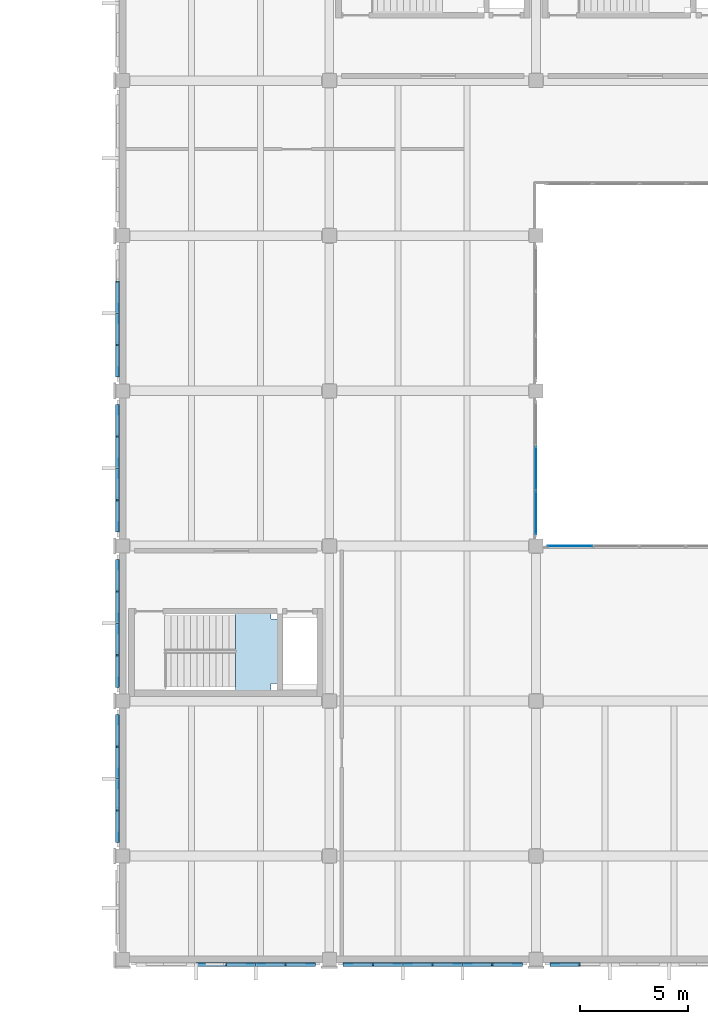
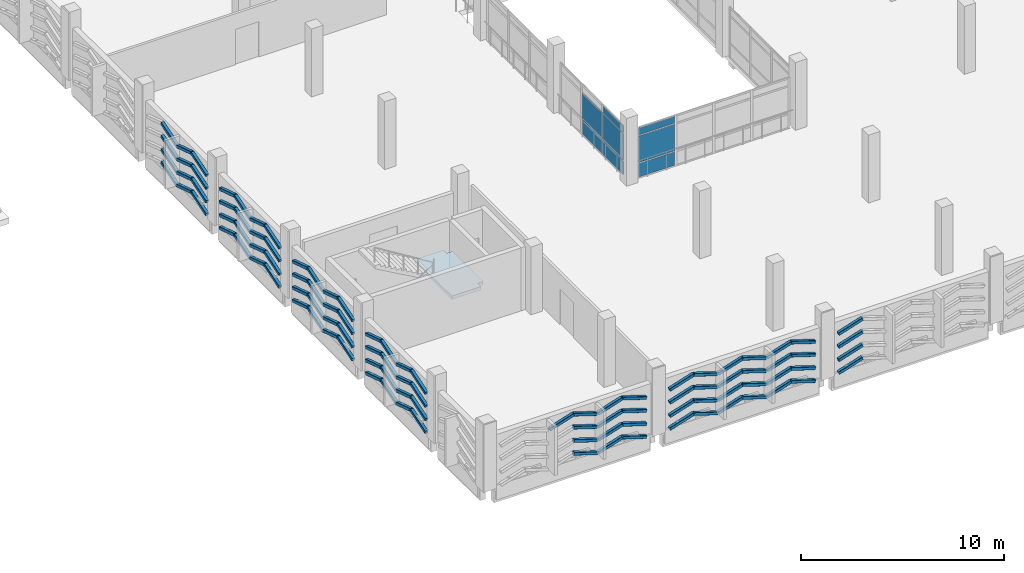
# One storey, part 93 of 134: 109 plates, 1 slab, 3 elements without a shape of their own.
"""IFC4 building model written with IfcOpenShell, lengths in metres."""

from ifc_helpers import new_model, si_unit, direction, frame, origin, origin_2d, place, context, subcontext, project, spatial, polyline, rectangle, hollow_rectangle, outline, extrude, material, layer, layer_set, material_profile, profile_set, type_object, element, aggregate, save


model = new_model("IFC4")

# Units and contexts
model_context = context("Model", 3, precision=1e-05, world=origin(), true_north=direction((0.0, 1.0)))
body_context = subcontext(model_context, "Body", "Model", "MODEL_VIEW")
ifc_project = project(units=[si_unit("LENGTHUNIT", "METRE"), si_unit("AREAUNIT", "SQUARE_METRE"), si_unit("VOLUMEUNIT", "CUBIC_METRE"), si_unit("PLANEANGLEUNIT", "RADIAN"), si_unit("MASSUNIT", "GRAM", prefix="KILO")], contexts=[model_context])

# Site, building, storey
site_placement = place(None, origin())
site = spatial("IfcSite", under=ifc_project, at=site_placement, CompositionType="ELEMENT")
building_placement = place(site_placement, origin())
building = spatial("IfcBuilding", under=site, at=building_placement, Name="Asteropetra Specialist Clinic", CompositionType="ELEMENT")
storey_placement = place(building_placement, frame((0.0, 0.0, 8.5)))
storey = spatial("IfcBuildingStorey", under=building, at=storey_placement, Name="L02", CompositionType="ELEMENT", Elevation=8.5)

# Plates
ifc_material_1 = material(Name="Chevron emerald aluminium 6063-T6", Category="aluminium")
ifc_material_profile = material_profile(ifc_material_1, hollow_rectangle(XDim=0.179931640625, YDim=0.179931640625, WallThickness=0.010009765625, InnerFilletRadius=0.008056640625, OuterFilletRadius=0.01611328125, at=origin_2d()), Name="SHS 180x180x10.0")
ifc_profile_set = profile_set([ifc_material_profile], Name="Chevron emerald aluminium 6063-T6")
plate_type_1 = type_object("IfcPlateType", Name="CHV-RIB-180", PredefinedType="SHEET", material=ifc_profile_set)
for number, where, z_axis, x_axis, name in (
    (1, (110.39990234375, -0.239501953125, 0.48681640625), (0.952430080856, 0.0, -0.304757183805), (0.0, 1.0, 0.0), "Chevron Facade Screen Fin CVR-2473"),
    (2, (110.39990234375, -0.239501953125, 1.256591796875), (0.952479516829, 0.0, -0.304602642835), (0.0, 1.0, 0.0), "Chevron Facade Screen Fin CVR-2475"),
    (3, (110.39990234375, -0.239501953125, 2.056640625), (0.952479516829, 0.0, -0.304602642835), (0.0, 1.0, 0.0), "Chevron Facade Screen Fin CVR-2477"),
    (4, (109.034912109375, -0.239501953125, 2.39990234375), (0.952430080856, 0.0, 0.304757183805), (0.0, 1.0, 0.0), "Chevron Facade Screen Fin CVR-2478"),
    (5, (110.39990234375, -0.239501953125, 2.836669921875), (0.952430080856, 0.0, -0.304757183805), (0.0, 1.0, 0.0), "Chevron Facade Screen Fin CVR-2479"),
    (6, (111.804931640625, -0.239501953125, 0.050048828125), (0.952430080856, 0.0, 0.304757183805), (0.0, 1.0, 0.0), "Chevron Facade Screen Fin CVR-2480"),
    (7, (113.169921875, -0.239501953125, 0.48681640625), (0.952430080856, 0.0, -0.304757183805), (0.0, 1.0, 0.0), "Chevron Facade Screen Fin CVR-2481"),
    (8, (111.804931640625, -0.239501953125, 0.820068359375), (0.952479516829, 0.0, 0.304602642835), (0.0, 1.0, 0.0), "Chevron Facade Screen Fin CVR-2482"),
    (9, (113.169921875, -0.239501953125, 1.256591796875), (0.952479516829, 0.0, -0.304602642835), (0.0, 1.0, 0.0), "Chevron Facade Screen Fin CVR-2483"),
    (10, (111.804931640625, -0.239501953125, 1.6201171875), (0.952479516829, 0.0, 0.304602642835), (0.0, 1.0, 0.0), "Chevron Facade Screen Fin CVR-2484"),
    (11, (113.169921875, -0.239501953125, 2.056640625), (0.952479516829, 0.0, -0.304602642835), (0.0, 1.0, 0.0), "Chevron Facade Screen Fin CVR-2485"),
    (12, (111.804931640625, -0.239501953125, 2.39990234375), (0.952430080856, 0.0, 0.304757183805), (0.0, 1.0, 0.0), "Chevron Facade Screen Fin CVR-2486"),
    (13, (113.169921875, -0.239501953125, 2.836669921875), (0.952430080856, 0.0, -0.304757183805), (0.0, 1.0, 0.0), "Chevron Facade Screen Fin CVR-2487"),
    (14, (115.864990234375, -0.239501953125, 0.050048828125), (0.952430080856, 0.0, 0.304757183805), (0.0, 1.0, 0.0), "Chevron Facade Screen Fin CVR-2512"),
    (15, (117.22998046875, -0.239501953125, 0.48681640625), (0.952430080856, 0.0, -0.304757183805), (0.0, 1.0, 0.0), "Chevron Facade Screen Fin CVR-2513"),
    (16, (115.864990234375, -0.239501953125, 0.820068359375), (0.952479516829, 0.0, 0.304602642835), (0.0, 1.0, 0.0), "Chevron Facade Screen Fin CVR-2514"),
    (17, (117.22998046875, -0.239501953125, 1.256591796875), (0.952479516829, 0.0, -0.304602642835), (0.0, 1.0, 0.0), "Chevron Facade Screen Fin CVR-2515"),
    (18, (115.864990234375, -0.239501953125, 1.6201171875), (0.952479516829, 0.0, 0.304602642835), (0.0, 1.0, 0.0), "Chevron Facade Screen Fin CVR-2516"),
    (19, (117.22998046875, -0.239501953125, 2.056640625), (0.952479516829, 0.0, -0.304602642835), (0.0, 1.0, 0.0), "Chevron Facade Screen Fin CVR-2517"),
    (20, (115.864990234375, -0.239501953125, 2.39990234375), (0.952430080856, 0.0, 0.304757183805), (0.0, 1.0, 0.0), "Chevron Facade Screen Fin CVR-2518"),
    (21, (117.22998046875, -0.239501953125, 2.836669921875), (0.952430080856, 0.0, -0.304757183805), (0.0, 1.0, 0.0), "Chevron Facade Screen Fin CVR-2519"),
    (22, (118.635009765625, -0.239501953125, 0.050048828125), (0.952430080856, 0.0, 0.304757183805), (0.0, 1.0, 0.0), "Chevron Facade Screen Fin CVR-2520"),
    (23, (120.0, -0.239501953125, 0.48681640625), (0.952430080856, 0.0, -0.304757183805), (0.0, 1.0, 0.0), "Chevron Facade Screen Fin CVR-2521"),
    (24, (118.635009765625, -0.239501953125, 0.820068359375), (0.952479516829, 0.0, 0.304602642835), (0.0, 1.0, 0.0), "Chevron Facade Screen Fin CVR-2522"),
    (25, (120.0, -0.239501953125, 1.256591796875), (0.952479516829, 0.0, -0.304602642835), (0.0, 1.0, 0.0), "Chevron Facade Screen Fin CVR-2523"),
    (26, (118.635009765625, -0.239501953125, 1.6201171875), (0.952479516829, 0.0, 0.304602642835), (0.0, 1.0, 0.0), "Chevron Facade Screen Fin CVR-2524"),
    (27, (120.0, -0.239501953125, 2.056640625), (0.952479516829, 0.0, -0.304602642835), (0.0, 1.0, 0.0), "Chevron Facade Screen Fin CVR-2525"),
    (28, (118.635009765625, -0.239501953125, 2.39990234375), (0.952430080856, 0.0, 0.304757183805), (0.0, 1.0, 0.0), "Chevron Facade Screen Fin CVR-2526"),
    (29, (120.0, -0.239501953125, 2.836669921875), (0.952430080856, 0.0, -0.304757183805), (0.0, 1.0, 0.0), "Chevron Facade Screen Fin CVR-2527"),
    (30, (121.405029296875, -0.239501953125, 0.050048828125), (0.952430080856, 0.0, 0.304757183805), (0.0, 1.0, 0.0), "Chevron Facade Screen Fin CVR-2528"),
    (31, (122.77001953125, -0.239501953125, 0.48681640625), (0.952430080856, 0.0, -0.304757183805), (0.0, 1.0, 0.0), "Chevron Facade Screen Fin CVR-2529"),
    (32, (121.405029296875, -0.239501953125, 0.820068359375), (0.952479516829, 0.0, 0.304602642835), (0.0, 1.0, 0.0), "Chevron Facade Screen Fin CVR-2530"),
    (33, (122.77001953125, -0.239501953125, 1.256591796875), (0.952479516829, 0.0, -0.304602642835), (0.0, 1.0, 0.0), "Chevron Facade Screen Fin CVR-2531"),
    (34, (121.405029296875, -0.239501953125, 1.6201171875), (0.952479516829, 0.0, 0.304602642835), (0.0, 1.0, 0.0), "Chevron Facade Screen Fin CVR-2532"),
    (35, (122.77001953125, -0.239501953125, 2.056640625), (0.952479516829, 0.0, -0.304602642835), (0.0, 1.0, 0.0), "Chevron Facade Screen Fin CVR-2533"),
    (36, (121.405029296875, -0.239501953125, 2.39990234375), (0.952430080856, 0.0, 0.304757183805), (0.0, 1.0, 0.0), "Chevron Facade Screen Fin CVR-2534"),
    (37, (122.77001953125, -0.239501953125, 2.836669921875), (0.952430080856, 0.0, -0.304757183805), (0.0, 1.0, 0.0), "Chevron Facade Screen Fin CVR-2535"),
    (38, (125.465087890625, -0.239501953125, 0.050048828125), (0.952430080856, 0.0, 0.304757183805), (0.0, 1.0, 0.0), "Chevron Facade Screen Fin CVR-2560"),
    (39, (125.465087890625, -0.239501953125, 0.820068359375), (0.952479516829, 0.0, 0.304602642835), (0.0, 1.0, 0.0), "Chevron Facade Screen Fin CVR-2562"),
    (40, (125.465087890625, -0.239501953125, 1.6201171875), (0.952479516829, 0.0, 0.304602642835), (0.0, 1.0, 0.0), "Chevron Facade Screen Fin CVR-2564"),
    (41, (125.465087890625, -0.239501953125, 2.39990234375), (0.952430080856, 0.0, 0.304757183805), (0.0, 1.0, 0.0), "Chevron Facade Screen Fin CVR-2566"),
):
    element("IfcPlate", number, at=place(storey_placement, frame(where, z_axis=z_axis, x_axis=x_axis)), inside=storey, type_object=plate_type_1, Name=name, PredefinedType="SHEET", context=body_context, shape_type="SweptSolid", body=[
        extrude(hollow_rectangle(XDim=0.179931640625, YDim=0.179931640625, WallThickness=0.010009765625, InnerFilletRadius=0.008056640625, OuterFilletRadius=0.01611328125, at=origin_2d()), origin(), (0.0, 0.0, 1.0), 1.43310546875),
    ])
for number, where, z_axis, x_axis, name in (
    (42, (105.360595703125, 11.3349609375, 0.050048828125), (0.0, -0.952535238788, 0.304428347673), (1.0, 0.0, 0.0), "Chevron Facade Screen Fin CVR-2702"),
    (43, (105.360595703125, 9.87744140625, 0.515869140625), (0.0, -0.952535238788, -0.304428347673), (1.0, 0.0, 0.0), "Chevron Facade Screen Fin CVR-2703"),
    (44, (105.360595703125, 11.3349609375, 0.820068359375), (0.0, -0.952535238788, 0.304428347673), (1.0, 0.0, 0.0), "Chevron Facade Screen Fin CVR-2704"),
    (45, (105.360595703125, 9.87744140625, 1.285888671875), (0.0, -0.952535238788, -0.304428347673), (1.0, 0.0, 0.0), "Chevron Facade Screen Fin CVR-2705"),
    (46, (105.360595703125, 11.3349609375, 1.6201171875), (0.0, -0.952535238788, 0.304428347673), (1.0, 0.0, 0.0), "Chevron Facade Screen Fin CVR-2706"),
    (47, (105.360595703125, 9.87744140625, 2.0859375), (0.0, -0.952535238788, -0.304428347673), (1.0, 0.0, 0.0), "Chevron Facade Screen Fin CVR-2707"),
):
    element("IfcPlate", number, at=place(storey_placement, frame(where, z_axis=z_axis, x_axis=x_axis)), inside=storey, type_object=plate_type_1, Name=name, PredefinedType="SHEET", context=body_context, shape_type="SweptSolid", body=[
        extrude(hollow_rectangle(XDim=0.179931640625, YDim=0.179931640625, WallThickness=0.010009765625, InnerFilletRadius=0.008056640625, OuterFilletRadius=0.01611328125, at=origin_2d()), origin(), (0.0, 0.0, 1.0), 1.530029296875),
    ])
for number, where, z_axis, x_axis, name in (
    (48, (105.360595703125, 11.3349609375, 2.39990234375), (0.0, -0.952488962874, 0.304573103874), (1.0, 0.0, 0.0), "Chevron Facade Screen Fin CVR-2708"),
    (49, (105.360595703125, 9.87744140625, 2.865966796875), (0.0, -0.952488962874, -0.304573103874), (1.0, 0.0, 0.0), "Chevron Facade Screen Fin CVR-2709"),
):
    element("IfcPlate", number, at=place(storey_placement, frame(where, z_axis=z_axis, x_axis=x_axis)), inside=storey, type_object=plate_type_1, Name=name, PredefinedType="SHEET", context=body_context, shape_type="SweptSolid", body=[
        extrude(hollow_rectangle(XDim=0.179931640625, YDim=0.179931640625, WallThickness=0.010009765625, InnerFilletRadius=0.008056640625, OuterFilletRadius=0.01611328125, at=origin_2d()), origin(), (0.0, 0.0, 1.0), 1.5302734375),
    ])
for number, where, z_axis, x_axis, name in (
    (50, (105.360595703125, 8.3798828125, 0.050048828125), (0.0, -0.952520448524, 0.304474621509), (1.0, 0.0, 0.0), "Chevron Facade Screen Fin CVR-2710"),
    (51, (105.360595703125, 6.922607421875, 0.515869140625), (0.0, -0.952535238788, -0.304428347673), (1.0, 0.0, 0.0), "Chevron Facade Screen Fin CVR-2711"),
    (52, (105.360595703125, 8.3798828125, 0.820068359375), (0.0, -0.952520448524, 0.304474621509), (1.0, 0.0, 0.0), "Chevron Facade Screen Fin CVR-2712"),
    (53, (105.360595703125, 6.922607421875, 1.285888671875), (0.0, -0.952535238788, -0.304428347673), (1.0, 0.0, 0.0), "Chevron Facade Screen Fin CVR-2713"),
    (54, (105.360595703125, 8.3798828125, 1.6201171875), (0.0, -0.952520448524, 0.304474621509), (1.0, 0.0, 0.0), "Chevron Facade Screen Fin CVR-2714"),
    (55, (105.360595703125, 6.922607421875, 2.0859375), (0.0, -0.952535238788, -0.304428347673), (1.0, 0.0, 0.0), "Chevron Facade Screen Fin CVR-2715"),
    (56, (105.360595703125, 8.3798828125, 2.39990234375), (0.0, -0.952474159261, 0.304619395213), (1.0, 0.0, 0.0), "Chevron Facade Screen Fin CVR-2716"),
):
    element("IfcPlate", number, at=place(storey_placement, frame(where, z_axis=z_axis, x_axis=x_axis)), inside=storey, type_object=plate_type_1, Name=name, PredefinedType="SHEET", context=body_context, shape_type="SweptSolid", body=[
        extrude(hollow_rectangle(XDim=0.179931640625, YDim=0.179931640625, WallThickness=0.010009765625, InnerFilletRadius=0.008056640625, OuterFilletRadius=0.01611328125, at=origin_2d()), origin(), (0.0, 0.0, 1.0), 1.530029296875),
    ])
plate_1_placement = place(storey_placement, frame((105.360595703125, 6.922607421875, 2.865966796875), z_axis=(0.0, -0.952488962874, -0.304573103874), x_axis=(1.0, 0.0, 0.0)))
element("IfcPlate", 57, at=plate_1_placement, inside=storey, type_object=plate_type_1, Name="Chevron Facade Screen Fin CVR-2717", PredefinedType="SHEET", context=body_context, shape_type="SweptSolid", body=[
    extrude(hollow_rectangle(XDim=0.179931640625, YDim=0.179931640625, WallThickness=0.010009765625, InnerFilletRadius=0.008056640625, OuterFilletRadius=0.01611328125, at=origin_2d()), origin(), (0.0, 0.0, 1.0), 1.5302734375),
])
for number, where, z_axis, x_axis, name in (
    (58, (105.360595703125, 18.534912109375, 0.050048828125), (0.0, -0.952535238788, 0.304428347673), (1.0, 0.0, 0.0), "Chevron Facade Screen Fin CVR-2734"),
    (59, (105.360595703125, 17.077392578125, 0.515869140625), (0.0, -0.952520448524, -0.304474621509), (1.0, 0.0, 0.0), "Chevron Facade Screen Fin CVR-2735"),
    (60, (105.360595703125, 18.534912109375, 0.820068359375), (0.0, -0.952535238788, 0.304428347673), (1.0, 0.0, 0.0), "Chevron Facade Screen Fin CVR-2736"),
    (61, (105.360595703125, 17.077392578125, 1.285888671875), (0.0, -0.952520448524, -0.304474621509), (1.0, 0.0, 0.0), "Chevron Facade Screen Fin CVR-2737"),
    (62, (105.360595703125, 18.534912109375, 1.6201171875), (0.0, -0.952535238788, 0.304428347673), (1.0, 0.0, 0.0), "Chevron Facade Screen Fin CVR-2738"),
    (63, (105.360595703125, 17.077392578125, 2.0859375), (0.0, -0.952520448524, -0.304474621509), (1.0, 0.0, 0.0), "Chevron Facade Screen Fin CVR-2739"),
):
    element("IfcPlate", number, at=place(storey_placement, frame(where, z_axis=z_axis, x_axis=x_axis)), inside=storey, type_object=plate_type_1, Name=name, PredefinedType="SHEET", context=body_context, shape_type="SweptSolid", body=[
        extrude(hollow_rectangle(XDim=0.179931640625, YDim=0.179931640625, WallThickness=0.010009765625, InnerFilletRadius=0.008056640625, OuterFilletRadius=0.01611328125, at=origin_2d()), origin(), (0.0, 0.0, 1.0), 1.530029296875),
    ])
plate_2_placement = place(storey_placement, frame((105.360595703125, 18.534912109375, 2.39990234375), z_axis=(0.0, -0.952488962874, 0.304573103874), x_axis=(1.0, 0.0, 0.0)))
element("IfcPlate", 64, at=plate_2_placement, inside=storey, type_object=plate_type_1, Name="Chevron Facade Screen Fin CVR-2740", PredefinedType="SHEET", context=body_context, shape_type="SweptSolid", body=[
    extrude(hollow_rectangle(XDim=0.179931640625, YDim=0.179931640625, WallThickness=0.010009765625, InnerFilletRadius=0.008056640625, OuterFilletRadius=0.01611328125, at=origin_2d()), origin(), (0.0, 0.0, 1.0), 1.5302734375),
])
for number, where, z_axis, x_axis, name in (
    (65, (105.360595703125, 17.077392578125, 2.865966796875), (0.0, -0.952474159261, -0.304619395213), (1.0, 0.0, 0.0), "Chevron Facade Screen Fin CVR-2741"),
    (66, (105.360595703125, 15.580078125, 0.050048828125), (0.0, -0.952535238788, 0.304428347673), (1.0, 0.0, 0.0), "Chevron Facade Screen Fin CVR-2742"),
    (67, (105.360595703125, 14.12255859375, 0.515869140625), (0.0, -0.952535238788, -0.304428347673), (1.0, 0.0, 0.0), "Chevron Facade Screen Fin CVR-2743"),
    (68, (105.360595703125, 15.580078125, 0.820068359375), (0.0, -0.952535238788, 0.304428347673), (1.0, 0.0, 0.0), "Chevron Facade Screen Fin CVR-2744"),
    (69, (105.360595703125, 14.12255859375, 1.285888671875), (0.0, -0.952535238788, -0.304428347673), (1.0, 0.0, 0.0), "Chevron Facade Screen Fin CVR-2745"),
    (70, (105.360595703125, 15.580078125, 1.6201171875), (0.0, -0.952535238788, 0.304428347673), (1.0, 0.0, 0.0), "Chevron Facade Screen Fin CVR-2746"),
    (71, (105.360595703125, 14.12255859375, 2.0859375), (0.0, -0.952535238788, -0.304428347673), (1.0, 0.0, 0.0), "Chevron Facade Screen Fin CVR-2747"),
):
    element("IfcPlate", number, at=place(storey_placement, frame(where, z_axis=z_axis, x_axis=x_axis)), inside=storey, type_object=plate_type_1, Name=name, PredefinedType="SHEET", context=body_context, shape_type="SweptSolid", body=[
        extrude(hollow_rectangle(XDim=0.179931640625, YDim=0.179931640625, WallThickness=0.010009765625, InnerFilletRadius=0.008056640625, OuterFilletRadius=0.01611328125, at=origin_2d()), origin(), (0.0, 0.0, 1.0), 1.530029296875),
    ])
for number, where, z_axis, x_axis, name in (
    (72, (105.360595703125, 15.580078125, 2.39990234375), (0.0, -0.952488962874, 0.304573103874), (1.0, 0.0, 0.0), "Chevron Facade Screen Fin CVR-2748"),
    (73, (105.360595703125, 14.12255859375, 2.865966796875), (0.0, -0.952488962874, -0.304573103874), (1.0, 0.0, 0.0), "Chevron Facade Screen Fin CVR-2749"),
):
    element("IfcPlate", number, at=place(storey_placement, frame(where, z_axis=z_axis, x_axis=x_axis)), inside=storey, type_object=plate_type_1, Name=name, PredefinedType="SHEET", context=body_context, shape_type="SweptSolid", body=[
        extrude(hollow_rectangle(XDim=0.179931640625, YDim=0.179931640625, WallThickness=0.010009765625, InnerFilletRadius=0.008056640625, OuterFilletRadius=0.01611328125, at=origin_2d()), origin(), (0.0, 0.0, 1.0), 1.5302734375),
    ])
for number, where, z_axis, x_axis, name in (
    (74, (105.360595703125, 25.735107421875, 0.050048828125), (0.0, -0.952535238788, 0.304428347673), (1.0, 0.0, 0.0), "Chevron Facade Screen Fin CVR-2766"),
    (75, (105.360595703125, 24.277587890625, 0.515869140625), (0.0, -0.952535238788, -0.304428347673), (1.0, 0.0, 0.0), "Chevron Facade Screen Fin CVR-2767"),
    (76, (105.360595703125, 25.735107421875, 0.820068359375), (0.0, -0.952535238788, 0.304428347673), (1.0, 0.0, 0.0), "Chevron Facade Screen Fin CVR-2768"),
    (77, (105.360595703125, 24.277587890625, 1.285888671875), (0.0, -0.952535238788, -0.304428347673), (1.0, 0.0, 0.0), "Chevron Facade Screen Fin CVR-2769"),
    (78, (105.360595703125, 25.735107421875, 1.6201171875), (0.0, -0.952535238788, 0.304428347673), (1.0, 0.0, 0.0), "Chevron Facade Screen Fin CVR-2770"),
    (79, (105.360595703125, 24.277587890625, 2.0859375), (0.0, -0.952535238788, -0.304428347673), (1.0, 0.0, 0.0), "Chevron Facade Screen Fin CVR-2771"),
):
    element("IfcPlate", number, at=place(storey_placement, frame(where, z_axis=z_axis, x_axis=x_axis)), inside=storey, type_object=plate_type_1, Name=name, PredefinedType="SHEET", context=body_context, shape_type="SweptSolid", body=[
        extrude(hollow_rectangle(XDim=0.179931640625, YDim=0.179931640625, WallThickness=0.010009765625, InnerFilletRadius=0.008056640625, OuterFilletRadius=0.01611328125, at=origin_2d()), origin(), (0.0, 0.0, 1.0), 1.530029296875),
    ])
for number, where, z_axis, x_axis, name in (
    (80, (105.360595703125, 25.735107421875, 2.39990234375), (0.0, -0.952488962874, 0.304573103874), (1.0, 0.0, 0.0), "Chevron Facade Screen Fin CVR-2772"),
    (81, (105.360595703125, 24.277587890625, 2.865966796875), (0.0, -0.952488962874, -0.304573103874), (1.0, 0.0, 0.0), "Chevron Facade Screen Fin CVR-2773"),
):
    element("IfcPlate", number, at=place(storey_placement, frame(where, z_axis=z_axis, x_axis=x_axis)), inside=storey, type_object=plate_type_1, Name=name, PredefinedType="SHEET", context=body_context, shape_type="SweptSolid", body=[
        extrude(hollow_rectangle(XDim=0.179931640625, YDim=0.179931640625, WallThickness=0.010009765625, InnerFilletRadius=0.008056640625, OuterFilletRadius=0.01611328125, at=origin_2d()), origin(), (0.0, 0.0, 1.0), 1.5302734375),
    ])
for number, where, z_axis, x_axis, name in (
    (82, (105.360595703125, 22.780029296875, 0.050048828125), (0.0, -0.952535238788, 0.304428347673), (1.0, 0.0, 0.0), "Chevron Facade Screen Fin CVR-2774"),
    (83, (105.360595703125, 21.322509765625, 0.515869140625), (0.0, -0.952535238788, -0.304428347673), (1.0, 0.0, 0.0), "Chevron Facade Screen Fin CVR-2775"),
    (84, (105.360595703125, 22.780029296875, 0.820068359375), (0.0, -0.952535238788, 0.304428347673), (1.0, 0.0, 0.0), "Chevron Facade Screen Fin CVR-2776"),
    (85, (105.360595703125, 21.322509765625, 1.285888671875), (0.0, -0.952535238788, -0.304428347673), (1.0, 0.0, 0.0), "Chevron Facade Screen Fin CVR-2777"),
    (86, (105.360595703125, 22.780029296875, 1.6201171875), (0.0, -0.952535238788, 0.304428347673), (1.0, 0.0, 0.0), "Chevron Facade Screen Fin CVR-2778"),
    (87, (105.360595703125, 21.322509765625, 2.0859375), (0.0, -0.952535238788, -0.304428347673), (1.0, 0.0, 0.0), "Chevron Facade Screen Fin CVR-2779"),
):
    element("IfcPlate", number, at=place(storey_placement, frame(where, z_axis=z_axis, x_axis=x_axis)), inside=storey, type_object=plate_type_1, Name=name, PredefinedType="SHEET", context=body_context, shape_type="SweptSolid", body=[
        extrude(hollow_rectangle(XDim=0.179931640625, YDim=0.179931640625, WallThickness=0.010009765625, InnerFilletRadius=0.008056640625, OuterFilletRadius=0.01611328125, at=origin_2d()), origin(), (0.0, 0.0, 1.0), 1.530029296875),
    ])
for number, where, z_axis, x_axis, name in (
    (88, (105.360595703125, 22.780029296875, 2.39990234375), (0.0, -0.952488962874, 0.304573103874), (1.0, 0.0, 0.0), "Chevron Facade Screen Fin CVR-2780"),
    (89, (105.360595703125, 21.322509765625, 2.865966796875), (0.0, -0.952488962874, -0.304573103874), (1.0, 0.0, 0.0), "Chevron Facade Screen Fin CVR-2781"),
):
    element("IfcPlate", number, at=place(storey_placement, frame(where, z_axis=z_axis, x_axis=x_axis)), inside=storey, type_object=plate_type_1, Name=name, PredefinedType="SHEET", context=body_context, shape_type="SweptSolid", body=[
        extrude(hollow_rectangle(XDim=0.179931640625, YDim=0.179931640625, WallThickness=0.010009765625, InnerFilletRadius=0.008056640625, OuterFilletRadius=0.01611328125, at=origin_2d()), origin(), (0.0, 0.0, 1.0), 1.5302734375),
    ])
for number, where, z_axis, x_axis, name in (
    (90, (105.360595703125, 31.4775390625, 0.515869140625), (0.0, -0.952535238788, -0.304428347673), (1.0, 0.0, 0.0), "Chevron Facade Screen Fin CVR-2799"),
    (91, (105.360595703125, 31.4775390625, 1.285888671875), (0.0, -0.952535238788, -0.304428347673), (1.0, 0.0, 0.0), "Chevron Facade Screen Fin CVR-2801"),
    (92, (105.360595703125, 31.4775390625, 2.0859375), (0.0, -0.952535238788, -0.304428347673), (1.0, 0.0, 0.0), "Chevron Facade Screen Fin CVR-2803"),
):
    element("IfcPlate", number, at=place(storey_placement, frame(where, z_axis=z_axis, x_axis=x_axis)), inside=storey, type_object=plate_type_1, Name=name, PredefinedType="SHEET", context=body_context, shape_type="SweptSolid", body=[
        extrude(hollow_rectangle(XDim=0.179931640625, YDim=0.179931640625, WallThickness=0.010009765625, InnerFilletRadius=0.008056640625, OuterFilletRadius=0.01611328125, at=origin_2d()), origin(), (0.0, 0.0, 1.0), 1.530029296875),
    ])
plate_3_placement = place(storey_placement, frame((105.360595703125, 31.4775390625, 2.865966796875), z_axis=(0.0, -0.952488962874, -0.304573103874), x_axis=(1.0, 0.0, 0.0)))
element("IfcPlate", 93, at=plate_3_placement, inside=storey, type_object=plate_type_1, Name="Chevron Facade Screen Fin CVR-2805", PredefinedType="SHEET", context=body_context, shape_type="SweptSolid", body=[
    extrude(hollow_rectangle(XDim=0.179931640625, YDim=0.179931640625, WallThickness=0.010009765625, InnerFilletRadius=0.008056640625, OuterFilletRadius=0.01611328125, at=origin_2d()), origin(), (0.0, 0.0, 1.0), 1.5302734375),
])
for number, where, z_axis, x_axis, name in (
    (94, (105.360595703125, 29.97998046875, 0.050048828125), (0.0, -0.952535238788, 0.304428347673), (1.0, 0.0, 0.0), "Chevron Facade Screen Fin CVR-2806"),
    (95, (105.360595703125, 28.5224609375, 0.515869140625), (0.0, -0.952535238788, -0.304428347673), (1.0, 0.0, 0.0), "Chevron Facade Screen Fin CVR-2807"),
    (96, (105.360595703125, 29.97998046875, 0.820068359375), (0.0, -0.952535238788, 0.304428347673), (1.0, 0.0, 0.0), "Chevron Facade Screen Fin CVR-2808"),
    (97, (105.360595703125, 28.5224609375, 1.285888671875), (0.0, -0.952535238788, -0.304428347673), (1.0, 0.0, 0.0), "Chevron Facade Screen Fin CVR-2809"),
    (98, (105.360595703125, 29.97998046875, 1.6201171875), (0.0, -0.952535238788, 0.304428347673), (1.0, 0.0, 0.0), "Chevron Facade Screen Fin CVR-2810"),
    (99, (105.360595703125, 28.5224609375, 2.0859375), (0.0, -0.952535238788, -0.304428347673), (1.0, 0.0, 0.0), "Chevron Facade Screen Fin CVR-2811"),
):
    element("IfcPlate", number, at=place(storey_placement, frame(where, z_axis=z_axis, x_axis=x_axis)), inside=storey, type_object=plate_type_1, Name=name, PredefinedType="SHEET", context=body_context, shape_type="SweptSolid", body=[
        extrude(hollow_rectangle(XDim=0.179931640625, YDim=0.179931640625, WallThickness=0.010009765625, InnerFilletRadius=0.008056640625, OuterFilletRadius=0.01611328125, at=origin_2d()), origin(), (0.0, 0.0, 1.0), 1.530029296875),
    ])
for number, where, z_axis, x_axis, name in (
    (100, (105.360595703125, 29.97998046875, 2.39990234375), (0.0, -0.952488962874, 0.304573103874), (1.0, 0.0, 0.0), "Chevron Facade Screen Fin CVR-2812"),
    (101, (105.360595703125, 28.5224609375, 2.865966796875), (0.0, -0.952488962874, -0.304573103874), (1.0, 0.0, 0.0), "Chevron Facade Screen Fin CVR-2813"),
):
    element("IfcPlate", number, at=place(storey_placement, frame(where, z_axis=z_axis, x_axis=x_axis)), inside=storey, type_object=plate_type_1, Name=name, PredefinedType="SHEET", context=body_context, shape_type="SweptSolid", body=[
        extrude(hollow_rectangle(XDim=0.179931640625, YDim=0.179931640625, WallThickness=0.010009765625, InnerFilletRadius=0.008056640625, OuterFilletRadius=0.01611328125, at=origin_2d()), origin(), (0.0, 0.0, 1.0), 1.5302734375),
    ])

# Curtain wall, plates
ifc_material_2 = material(Name="Aluminium and low-E glass", Category="aluminium")
ifc_layer_1 = layer(ifc_material_2, 0.14990234375)
ifc_layer_set_1 = layer_set([ifc_layer_1], Name="Aluminium and low-E glass")
curtain_wall_type_1 = type_object("IfcCurtainWallType", Name="CW-SYS-08", PredefinedType="USERDEFINED", material=ifc_layer_set_1)
curtain_wall_1_placement = place(storey_placement, origin())
curtain_wall_1 = element("IfcCurtainWall", 102, at=curtain_wall_1_placement, inside=storey, type_object=curtain_wall_type_1, Name="Curtain Wall CW-077", ObjectType="STICK GLAZED COLONNADE", PredefinedType="USERDEFINED")
ifc_material_3 = material(Name="Low-E acoustic double glazing", Category="glass")
ifc_layer_2 = layer(ifc_material_3, 0.031982421875)
ifc_layer_set_2 = layer_set([ifc_layer_2], Name="Low-E acoustic double glazing")
plate_type_2 = type_object("IfcPlateType", Name="CWP-GLZ-32", PredefinedType="CURTAIN_PANEL", material=ifc_layer_set_2)
plate_4_placement = place(storey_placement, frame((126.378662109375, 19.199951171875, 0.06005859375), z_axis=(0.0, 0.0, 1.0), x_axis=(1.0, 0.0, 0.0)))
plate_4 = element("IfcPlate", 103, at=plate_4_placement, type_object=plate_type_2, Name="CW-077 panel 1.1", PredefinedType="CURTAIN_PANEL", context=body_context, shape_type="SweptSolid", body=[
    extrude(rectangle(XDim=2.0673828125, YDim=0.031982421875, at=origin_2d()), origin(), (0.0, 0.0, 1.0), 0.81005859375),
])
plate_5_placement = place(storey_placement, frame((126.378662109375, 19.199951171875, 0.929931640625), z_axis=(0.0, 0.0, 1.0), x_axis=(1.0, 0.0, 0.0)))
plate_5 = element("IfcPlate", 104, at=plate_5_placement, type_object=plate_type_2, Name="CW-077 panel 1.2", PredefinedType="CURTAIN_PANEL", context=body_context, shape_type="SweptSolid", body=[
    extrude(rectangle(XDim=2.0673828125, YDim=0.031982421875, at=origin_2d()), origin(), (0.0, 0.0, 1.0), 1.60009765625),
])
plate_6_placement = place(storey_placement, frame((126.378662109375, 19.199951171875, 2.58984375), z_axis=(0.0, 0.0, 1.0), x_axis=(1.0, 0.0, 0.0)))
plate_6 = element("IfcPlate", 105, at=plate_6_placement, type_object=plate_type_2, Name="CW-077 panel 1.3", PredefinedType="CURTAIN_PANEL", context=body_context, shape_type="SweptSolid", body=[
    extrude(rectangle(XDim=2.0673828125, YDim=0.031982421875, at=origin_2d()), origin(), (0.0, 0.0, 1.0), 0.409912109375),
])
aggregate(curtain_wall_1, [plate_4, plate_5, plate_6])

ifc_material_4 = material(Name="Aluminium and low-E glass", Category="aluminium")
ifc_layer_3 = layer(ifc_material_4, 0.179931640625)
ifc_layer_set_3 = layer_set([ifc_layer_3], Name="Aluminium and low-E glass")
curtain_wall_type_2 = type_object("IfcCurtainWallType", Name="CW-SYS-10", PredefinedType="USERDEFINED", material=ifc_layer_set_3)
curtain_wall_2_placement = place(storey_placement, origin())
curtain_wall_2 = element("IfcCurtainWall", 106, at=curtain_wall_2_placement, inside=storey, type_object=curtain_wall_type_2, Name="Curtain Wall CW-079", ObjectType="STICK GLAZED COLONNADE", PredefinedType="USERDEFINED")
ifc_material_5 = material(Name="Laminated skylight glazing", Category="glass")
ifc_layer_4 = layer(ifc_material_5, 0.0400390625)
ifc_layer_set_4 = layer_set([ifc_layer_4], Name="Laminated skylight glazing")
plate_type_3 = type_object("IfcPlateType", Name="CWP-GLZ-40", PredefinedType="CURTAIN_PANEL", material=ifc_layer_set_4)
plate_7_placement = place(storey_placement, frame((124.800048828125, 22.800048828125, 0.06494140625), z_axis=(0.0, 0.0, 1.0), x_axis=(0.0, -1.0, 0.0)))
plate_7 = element("IfcPlate", 107, at=plate_7_placement, type_object=plate_type_3, Name="CW-079 panel 2.1", PredefinedType="CURTAIN_PANEL", context=body_context, shape_type="SweptSolid", body=[
    extrude(rectangle(XDim=2.01171875, YDim=0.0400390625, at=origin_2d()), origin(), (0.0, 0.0, 1.0), 0.802490234375),
])
plate_8_placement = place(storey_placement, frame((124.800048828125, 22.800048828125, 0.9326171875), z_axis=(0.0, 0.0, 1.0), x_axis=(0.0, -1.0, 0.0)))
plate_8 = element("IfcPlate", 108, at=plate_8_placement, type_object=plate_type_3, Name="CW-079 panel 2.2", PredefinedType="CURTAIN_PANEL", context=body_context, shape_type="SweptSolid", body=[
    extrude(rectangle(XDim=2.01171875, YDim=0.0400390625, at=origin_2d()), origin(), (0.0, 0.0, 1.0), 1.594970703125),
])
plate_9_placement = place(storey_placement, frame((124.800048828125, 20.739501953125, 0.06494140625), z_axis=(0.0, 0.0, 1.0), x_axis=(0.0, -1.0, 0.0)))
plate_9 = element("IfcPlate", 109, at=plate_9_placement, type_object=plate_type_3, Name="CW-079 panel 3.1", PredefinedType="CURTAIN_PANEL", context=body_context, shape_type="SweptSolid", body=[
    extrude(rectangle(XDim=1.979248046875, YDim=0.0400390625, at=origin_2d()), origin(), (0.0, 0.0, 1.0), 0.802490234375),
])
plate_10_placement = place(storey_placement, frame((124.800048828125, 20.739501953125, 0.9326171875), z_axis=(0.0, 0.0, 1.0), x_axis=(0.0, -1.0, 0.0)))
plate_10 = element("IfcPlate", 110, at=plate_10_placement, type_object=plate_type_3, Name="CW-079 panel 3.2", PredefinedType="CURTAIN_PANEL", context=body_context, shape_type="SweptSolid", body=[
    extrude(rectangle(XDim=1.979248046875, YDim=0.0400390625, at=origin_2d()), origin(), (0.0, 0.0, 1.0), 1.594970703125),
])
plate_11_placement = place(storey_placement, frame((124.800048828125, 20.739501953125, 2.59228515625), z_axis=(0.0, 0.0, 1.0), x_axis=(0.0, -1.0, 0.0)))
plate_11 = element("IfcPlate", 111, at=plate_11_placement, type_object=plate_type_3, Name="CW-079 panel 3.3", PredefinedType="CURTAIN_PANEL", context=body_context, shape_type="SweptSolid", body=[
    extrude(rectangle(XDim=1.979248046875, YDim=0.0400390625, at=origin_2d()), origin(), (0.0, 0.0, 1.0), 0.402587890625),
])
aggregate(curtain_wall_2, [plate_7, plate_8, plate_9, plate_10, plate_11])

# Stair, slab
ifc_material_6 = material(Name="Concrete C35/45", Category="concrete")
stair_type = type_object("IfcStairType", Name="STR-DOG-165", PredefinedType="TWO_STRAIGHT_RUN_STAIR", material=ifc_material_6)
stair_placement = place(storey_placement, origin())
stair = element("IfcStair", 112, at=stair_placement, inside=storey, type_object=stair_type, Name="Type I Stair ST08-L02", PredefinedType="TWO_STRAIGHT_RUN_STAIR")
ifc_material_7 = material(Name="Concrete C35/45", Category="concrete")
ifc_layer_5 = layer(ifc_material_7, 0.199951171875)
ifc_layer_set_5 = layer_set([ifc_layer_5], Name="Concrete C35/45")
slab_type = type_object("IfcSlabType", Name="SLB-LND-200", PredefinedType="LANDING", material=ifc_layer_set_5)
slab_placement = place(storey_placement, frame((0.0, 0.0, 1.840087890625)))
slab = element("IfcSlab", 113, at=slab_placement, type_object=slab_type, Name="ST08-L02 landing 1", PredefinedType="LANDING", context=body_context, shape_type="SweptSolid", body=[
    extrude(outline(polyline([(110.85009765625, 12.489990234375), (112.5, 12.489990234375), (112.5, 12.81005859375), (112.820068359375, 12.81005859375), (112.820068359375, 15.81005859375), (112.5, 15.81005859375), (112.5, 16.1298828125), (110.85009765625, 16.1298828125), (110.85009765625, 12.489990234375)])), origin(), (0.0, 0.0, 1.0), 0.199951171875),
])
aggregate(stair, [slab])

save(model, "model.ifc")
